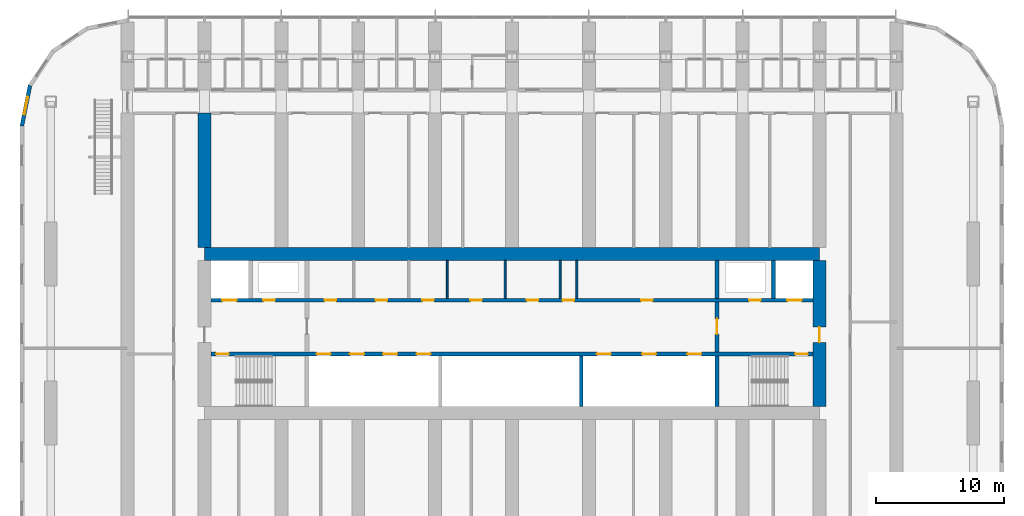
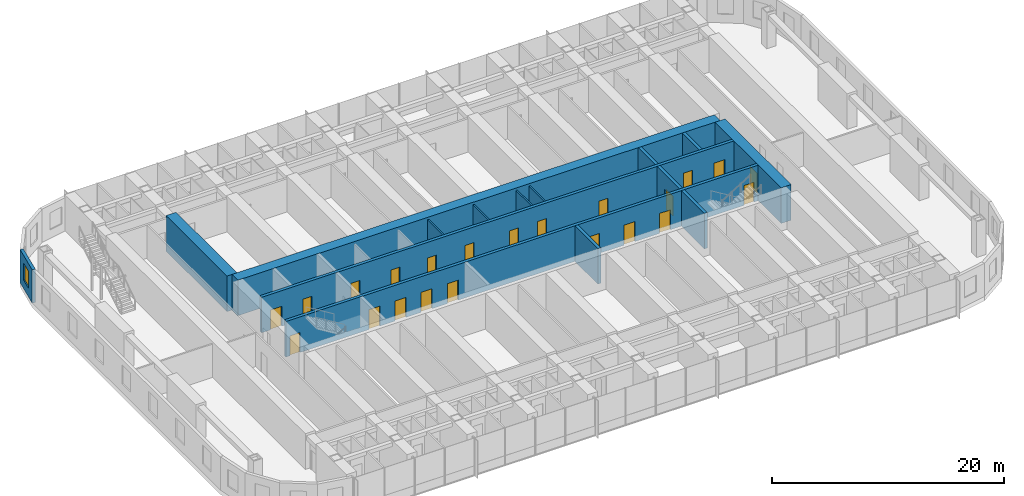
# One storey, part 16 of 28: 22 doors, 15 walls, 1 window, 23 openings.
"""IFC4 building model written with IfcOpenShell, lengths in metres."""

from ifc_helpers import new_model, si_unit, direction, frame, frame_2d, origin, place, context, subcontext, project, spatial, polyline, rectangle, outline, extrude, material, layer, layer_set, type_object, element, fill, save


model = new_model("IFC4")

# Units and contexts
model_context = context("Model", 3, precision=1e-05, world=origin(), true_north=direction((0.0, 1.0)))
body_context = subcontext(model_context, "Body", "Model", "MODEL_VIEW")
ifc_project = project(units=[si_unit("LENGTHUNIT", "METRE"), si_unit("AREAUNIT", "SQUARE_METRE"), si_unit("VOLUMEUNIT", "CUBIC_METRE"), si_unit("PLANEANGLEUNIT", "RADIAN"), si_unit("MASSUNIT", "GRAM", prefix="KILO")], contexts=[model_context])

# Site, building, storey
site_placement = place(None, origin())
site = spatial("IfcSite", under=ifc_project, at=site_placement, CompositionType="ELEMENT")
building_placement = place(site_placement, origin())
building = spatial("IfcBuilding", under=site, at=building_placement, Name="Orbita Commons", CompositionType="ELEMENT")
storey_placement = place(building_placement, frame((0.0, 0.0, 38.949951171875)))
storey = spatial("IfcBuildingStorey", under=building, at=storey_placement, Name="L09", CompositionType="ELEMENT", Elevation=38.949951171875)

# Wall, openings, doors
ifc_material_1 = material(Name="Concrete C50/60", Category="concrete")
ifc_layer_1 = layer(ifc_material_1, 0.300048828125)
ifc_layer_set_1 = layer_set([ifc_layer_1], Name="Concrete C50/60")
wall_type_1 = type_object("IfcWallType", Name="Core inner wall 300 C50/60", PredefinedType="SHEAR", material=ifc_layer_set_1)
wall_1_placement = place(storey_placement, frame((18.5, 30.39990234375, 0.0), z_axis=(0.0, 0.0, 1.0), x_axis=(1.0, 0.0, 0.0)))
wall_1 = element("IfcWall", 1, at=wall_1_placement, inside=storey, type_object=wall_type_1, Name="Lobby wall south L09", PredefinedType="SHEAR", context=body_context, shape_type="SweptSolid", body=[
    extrude(rectangle(XDim=47.0, YDim=0.300048828125, at=frame_2d((23.5, 0.0))), origin(), (0.0, 0.0, 1.0), 3.75),
])
opening_1_placement = place(wall_1_placement, frame((0.39990234375, 0.0, 0.0)))
opening_1 = element("IfcOpeningElement", 2, at=opening_1_placement, cuts=wall_1, Name="Opening D02", PredefinedType="OPENING", context=body_context, shape_type="SweptSolid", body=[
    extrude(rectangle(XDim=1.0, YDim=2.10009765625, at=frame_2d((0.5, 1.050048828125))), frame((0.0, 0.159912109375, 0.0), z_axis=(0.0, -1.0, 0.0), x_axis=(1.0, 0.0, 0.0)), (0.0, 0.0, 1.0), 0.320068359375),
])
opening_2_placement = place(wall_1_placement, frame((45.60009765625, 0.0, 0.0)))
opening_2 = element("IfcOpeningElement", 3, at=opening_2_placement, cuts=wall_1, Name="Opening D02", PredefinedType="OPENING", context=body_context, shape_type="SweptSolid", body=[
    extrude(rectangle(XDim=1.0, YDim=2.10009765625, at=frame_2d((0.5, 1.050048828125))), frame((0.0, 0.159912109375, 0.0), z_axis=(0.0, -1.0, 0.0), x_axis=(1.0, 0.0, 0.0)), (0.0, 0.0, 1.0), 0.320068359375),
])
opening_3_placement = place(wall_1_placement, frame((8.25, 0.0, 0.0)))
opening_3 = element("IfcOpeningElement", 4, at=opening_3_placement, cuts=wall_1, Name="Opening LD02", PredefinedType="OPENING", context=body_context, shape_type="SweptSolid", body=[
    extrude(rectangle(XDim=1.10009765625, YDim=2.10009765625, at=frame_2d((0.550048828125, 1.050048828125))), frame((0.0, 0.159912109375, 0.0), z_axis=(0.0, -1.0, 0.0), x_axis=(1.0, 0.0, 0.0)), (0.0, 0.0, 1.0), 0.320068359375),
])
opening_4_placement = place(wall_1_placement, frame((10.85009765625, 0.0, 0.0)))
opening_4 = element("IfcOpeningElement", 5, at=opening_4_placement, cuts=wall_1, Name="Opening LD02", PredefinedType="OPENING", context=body_context, shape_type="SweptSolid", body=[
    extrude(rectangle(XDim=1.10009765625, YDim=2.10009765625, at=frame_2d((0.550048828125, 1.050048828125))), frame((0.0, 0.159912109375, 0.0), z_axis=(0.0, -1.0, 0.0), x_axis=(1.0, 0.0, 0.0)), (0.0, 0.0, 1.0), 0.320068359375),
])
opening_5_placement = place(wall_1_placement, frame((13.449951171875, 0.0, 0.0)))
opening_5 = element("IfcOpeningElement", 6, at=opening_5_placement, cuts=wall_1, Name="Opening LD02", PredefinedType="OPENING", context=body_context, shape_type="SweptSolid", body=[
    extrude(rectangle(XDim=1.10009765625, YDim=2.10009765625, at=frame_2d((0.550048828125, 1.050048828125))), frame((0.0, 0.159912109375, 0.0), z_axis=(0.0, -1.0, 0.0), x_axis=(1.0, 0.0, 0.0)), (0.0, 0.0, 1.0), 0.320068359375),
])
opening_6_placement = place(wall_1_placement, frame((16.050048828125, 0.0, 0.0)))
opening_6 = element("IfcOpeningElement", 7, at=opening_6_placement, cuts=wall_1, Name="Opening LD02", PredefinedType="OPENING", context=body_context, shape_type="SweptSolid", body=[
    extrude(rectangle(XDim=1.10009765625, YDim=2.10009765625, at=frame_2d((0.550048828125, 1.050048828125))), frame((0.0, 0.159912109375, 0.0), z_axis=(0.0, -1.0, 0.0), x_axis=(1.0, 0.0, 0.0)), (0.0, 0.0, 1.0), 0.320068359375),
])
opening_7_placement = place(wall_1_placement, frame((30.11669921875, 0.0, 0.0)))
opening_7 = element("IfcOpeningElement", 8, at=opening_7_placement, cuts=wall_1, Name="Opening LD02", PredefinedType="OPENING", context=body_context, shape_type="SweptSolid", body=[
    extrude(rectangle(XDim=1.10009765625, YDim=2.10009765625, at=frame_2d((0.550048828125, 1.050048828125))), frame((0.0, 0.159912109375, 0.0), z_axis=(0.0, -1.0, 0.0), x_axis=(1.0, 0.0, 0.0)), (0.0, 0.0, 1.0), 0.320068359375),
])
opening_8_placement = place(wall_1_placement, frame((33.64990234375, 0.0, 0.0)))
opening_8 = element("IfcOpeningElement", 9, at=opening_8_placement, cuts=wall_1, Name="Opening LD02", PredefinedType="OPENING", context=body_context, shape_type="SweptSolid", body=[
    extrude(rectangle(XDim=1.10009765625, YDim=2.10009765625, at=frame_2d((0.550048828125, 1.050048828125))), frame((0.0, 0.159912109375, 0.0), z_axis=(0.0, -1.0, 0.0), x_axis=(1.0, 0.0, 0.0)), (0.0, 0.0, 1.0), 0.320068359375),
])
opening_9_placement = place(wall_1_placement, frame((37.183349609375, 0.0, 0.0)))
opening_9 = element("IfcOpeningElement", 10, at=opening_9_placement, cuts=wall_1, Name="Opening LD02", PredefinedType="OPENING", context=body_context, shape_type="SweptSolid", body=[
    extrude(rectangle(XDim=1.10009765625, YDim=2.10009765625, at=frame_2d((0.550048828125, 1.050048828125))), frame((0.0, 0.159912109375, 0.0), z_axis=(0.0, -1.0, 0.0), x_axis=(1.0, 0.0, 0.0)), (0.0, 0.0, 1.0), 0.320068359375),
])
ifc_material_2 = material(Name="Steel-faced fire door leaf", Category="steel")
door_type_1 = type_object("IfcDoorType", Name="Fire door 90 min 1000x2100", OperationType="SINGLE_SWING_LEFT", PredefinedType="DOOR", material=ifc_material_2)
door_1_placement = place(opening_1_placement, origin())
door_1 = element("IfcDoor", 11, at=door_1_placement, inside=storey, type_object=door_type_1, Name="Stair S1 door", OperationType="SINGLE_SWING_LEFT", OverallHeight=2.10009765625, OverallWidth=1.0, PredefinedType="DOOR", context=body_context, shape_type="SweptSolid", body=[
    extrude(rectangle(XDim=1.0, YDim=2.10009765625, at=frame_2d((0.5, 1.050048828125))), frame((0.0, 0.02490234375, 0.0), z_axis=(0.0, -1.0, 0.0), x_axis=(1.0, 0.0, 0.0)), (0.0, 0.0, 1.0), 0.050048828125),
])
fill(opening_1, door_1)
door_2_placement = place(opening_2_placement, origin())
door_2 = element("IfcDoor", 12, at=door_2_placement, inside=storey, type_object=door_type_1, Name="Stair S2 door", OperationType="SINGLE_SWING_LEFT", OverallHeight=2.10009765625, OverallWidth=1.0, PredefinedType="DOOR", context=body_context, shape_type="SweptSolid", body=[
    extrude(rectangle(XDim=1.0, YDim=2.10009765625, at=frame_2d((0.5, 1.050048828125))), frame((0.0, 0.02490234375, 0.0), z_axis=(0.0, -1.0, 0.0), x_axis=(1.0, 0.0, 0.0)), (0.0, 0.0, 1.0), 0.050048828125),
])
fill(opening_2, door_2)
ifc_material_3 = material(Name="Steel-faced fire door leaf", Category="steel")
door_type_2 = type_object("IfcDoorType", Name="Lift landing door 1100x2100", OperationType="DOUBLE_DOOR_SLIDING", PredefinedType="DOOR", material=ifc_material_3)
door_3_placement = place(opening_3_placement, origin())
door_3 = element("IfcDoor", 13, at=door_3_placement, inside=storey, type_object=door_type_2, Name="Lift P11 landing door", OperationType="DOUBLE_DOOR_SLIDING", OverallHeight=2.10009765625, OverallWidth=1.10009765625, PredefinedType="DOOR", context=body_context, shape_type="SweptSolid", body=[
    extrude(rectangle(XDim=1.10009765625, YDim=2.10009765625, at=frame_2d((0.550048828125, 1.050048828125))), frame((0.0, 0.02490234375, 0.0), z_axis=(0.0, -1.0, 0.0), x_axis=(1.0, 0.0, 0.0)), (0.0, 0.0, 1.0), 0.050048828125),
])
fill(opening_3, door_3)
door_4_placement = place(opening_4_placement, origin())
door_4 = element("IfcDoor", 14, at=door_4_placement, inside=storey, type_object=door_type_2, Name="Lift P12 landing door", OperationType="DOUBLE_DOOR_SLIDING", OverallHeight=2.10009765625, OverallWidth=1.10009765625, PredefinedType="DOOR", context=body_context, shape_type="SweptSolid", body=[
    extrude(rectangle(XDim=1.10009765625, YDim=2.10009765625, at=frame_2d((0.550048828125, 1.050048828125))), frame((0.0, 0.02490234375, 0.0), z_axis=(0.0, -1.0, 0.0), x_axis=(1.0, 0.0, 0.0)), (0.0, 0.0, 1.0), 0.050048828125),
])
fill(opening_4, door_4)
door_5_placement = place(opening_5_placement, origin())
door_5 = element("IfcDoor", 15, at=door_5_placement, inside=storey, type_object=door_type_2, Name="Lift P13 landing door", OperationType="DOUBLE_DOOR_SLIDING", OverallHeight=2.10009765625, OverallWidth=1.10009765625, PredefinedType="DOOR", context=body_context, shape_type="SweptSolid", body=[
    extrude(rectangle(XDim=1.10009765625, YDim=2.10009765625, at=frame_2d((0.550048828125, 1.050048828125))), frame((0.0, 0.02490234375, 0.0), z_axis=(0.0, -1.0, 0.0), x_axis=(1.0, 0.0, 0.0)), (0.0, 0.0, 1.0), 0.050048828125),
])
fill(opening_5, door_5)
door_6_placement = place(opening_6_placement, origin())
door_6 = element("IfcDoor", 16, at=door_6_placement, inside=storey, type_object=door_type_2, Name="Lift P14 landing door", OperationType="DOUBLE_DOOR_SLIDING", OverallHeight=2.10009765625, OverallWidth=1.10009765625, PredefinedType="DOOR", context=body_context, shape_type="SweptSolid", body=[
    extrude(rectangle(XDim=1.10009765625, YDim=2.10009765625, at=frame_2d((0.550048828125, 1.050048828125))), frame((0.0, 0.02490234375, 0.0), z_axis=(0.0, -1.0, 0.0), x_axis=(1.0, 0.0, 0.0)), (0.0, 0.0, 1.0), 0.050048828125),
])
fill(opening_6, door_6)
door_7_placement = place(opening_7_placement, origin())
door_7 = element("IfcDoor", 17, at=door_7_placement, inside=storey, type_object=door_type_2, Name="Lift SV1 landing door", OperationType="DOUBLE_DOOR_SLIDING", OverallHeight=2.10009765625, OverallWidth=1.10009765625, PredefinedType="DOOR", context=body_context, shape_type="SweptSolid", body=[
    extrude(rectangle(XDim=1.10009765625, YDim=2.10009765625, at=frame_2d((0.550048828125, 1.050048828125))), frame((0.0, 0.02490234375, 0.0), z_axis=(0.0, -1.0, 0.0), x_axis=(1.0, 0.0, 0.0)), (0.0, 0.0, 1.0), 0.050048828125),
])
fill(opening_7, door_7)
door_8_placement = place(opening_8_placement, origin())
door_8 = element("IfcDoor", 18, at=door_8_placement, inside=storey, type_object=door_type_2, Name="Lift SV2 landing door", OperationType="DOUBLE_DOOR_SLIDING", OverallHeight=2.10009765625, OverallWidth=1.10009765625, PredefinedType="DOOR", context=body_context, shape_type="SweptSolid", body=[
    extrude(rectangle(XDim=1.10009765625, YDim=2.10009765625, at=frame_2d((0.550048828125, 1.050048828125))), frame((0.0, 0.02490234375, 0.0), z_axis=(0.0, -1.0, 0.0), x_axis=(1.0, 0.0, 0.0)), (0.0, 0.0, 1.0), 0.050048828125),
])
fill(opening_8, door_8)
door_9_placement = place(opening_9_placement, origin())
door_9 = element("IfcDoor", 19, at=door_9_placement, inside=storey, type_object=door_type_2, Name="Lift SV3 landing door", OperationType="DOUBLE_DOOR_SLIDING", OverallHeight=2.10009765625, OverallWidth=1.10009765625, PredefinedType="DOOR", context=body_context, shape_type="SweptSolid", body=[
    extrude(rectangle(XDim=1.10009765625, YDim=2.10009765625, at=frame_2d((0.550048828125, 1.050048828125))), frame((0.0, 0.02490234375, 0.0), z_axis=(0.0, -1.0, 0.0), x_axis=(1.0, 0.0, 0.0)), (0.0, 0.0, 1.0), 0.050048828125),
])
fill(opening_9, door_9)

wall_2_placement = place(storey_placement, frame((18.5, 34.60009765625, 0.0), z_axis=(0.0, 0.0, 1.0), x_axis=(1.0, 0.0, 0.0)))
wall_2 = element("IfcWall", 20, at=wall_2_placement, inside=storey, type_object=wall_type_1, Name="Lobby wall north L09", PredefinedType="SHEAR", context=body_context, shape_type="SweptSolid", body=[
    extrude(rectangle(XDim=47.0, YDim=0.300048828125, at=frame_2d((23.5, 0.0))), origin(), (0.0, 0.0, 1.0), 3.75),
])
opening_10_placement = place(wall_2_placement, frame((0.89990234375, 0.0, 0.0)))
opening_10 = element("IfcOpeningElement", 21, at=opening_10_placement, cuts=wall_2, Name="Opening LD01", PredefinedType="OPENING", context=body_context, shape_type="SweptSolid", body=[
    extrude(rectangle(XDim=1.10009765625, YDim=2.10009765625, at=frame_2d((0.550048828125, 1.050048828125))), frame((0.0, 0.159912109375, 0.0), z_axis=(0.0, -1.0, 0.0), x_axis=(1.0, 0.0, 0.0)), (0.0, 0.0, 1.0), 0.320068359375),
])
opening_11_placement = place(wall_2_placement, frame((45.0, 0.0, 0.0)))
opening_11 = element("IfcOpeningElement", 22, at=opening_11_placement, cuts=wall_2, Name="Opening LD01", PredefinedType="OPENING", context=body_context, shape_type="SweptSolid", body=[
    extrude(rectangle(XDim=1.10009765625, YDim=2.10009765625, at=frame_2d((0.550048828125, 1.050048828125))), frame((0.0, 0.159912109375, 0.0), z_axis=(0.0, -1.0, 0.0), x_axis=(1.0, 0.0, 0.0)), (0.0, 0.0, 1.0), 0.320068359375),
])
opening_12_placement = place(wall_2_placement, frame((4.10009765625, 0.0, 0.0)))
opening_12 = element("IfcOpeningElement", 23, at=opening_12_placement, cuts=wall_2, Name="Opening D03", PredefinedType="OPENING", context=body_context, shape_type="SweptSolid", body=[
    extrude(rectangle(XDim=0.89990234375, YDim=2.10009765625, at=frame_2d((0.449951171875, 1.050048828125))), frame((0.0, 0.159912109375, 0.0), z_axis=(0.0, -1.0, 0.0), x_axis=(1.0, 0.0, 0.0)), (0.0, 0.0, 1.0), 0.320068359375),
])
opening_13_placement = place(wall_2_placement, frame((42.0, 0.0, 0.0)))
opening_13 = element("IfcOpeningElement", 24, at=opening_13_placement, cuts=wall_2, Name="Opening D03", PredefinedType="OPENING", context=body_context, shape_type="SweptSolid", body=[
    extrude(rectangle(XDim=0.89990234375, YDim=2.10009765625, at=frame_2d((0.449951171875, 1.050048828125))), frame((0.0, 0.159912109375, 0.0), z_axis=(0.0, -1.0, 0.0), x_axis=(1.0, 0.0, 0.0)), (0.0, 0.0, 1.0), 0.320068359375),
])
opening_14_placement = place(wall_2_placement, frame((8.87548828125, 0.0, 0.0)))
opening_14 = element("IfcOpeningElement", 25, at=opening_14_placement, cuts=wall_2, Name="Opening D05", PredefinedType="OPENING", context=body_context, shape_type="SweptSolid", body=[
    extrude(rectangle(XDim=0.89990234375, YDim=2.10009765625, at=frame_2d((0.449951171875, 1.050048828125))), frame((0.0, 0.159912109375, 0.0), z_axis=(0.0, -1.0, 0.0), x_axis=(1.0, 0.0, 0.0)), (0.0, 0.0, 1.0), 0.320068359375),
])
opening_15_placement = place(wall_2_placement, frame((12.8486328125, 0.0, 0.0)))
opening_15 = element("IfcOpeningElement", 26, at=opening_15_placement, cuts=wall_2, Name="Opening D03", PredefinedType="OPENING", context=body_context, shape_type="SweptSolid", body=[
    extrude(rectangle(XDim=0.89990234375, YDim=2.10009765625, at=frame_2d((0.449951171875, 1.050048828125))), frame((0.0, 0.159912109375, 0.0), z_axis=(0.0, -1.0, 0.0), x_axis=(1.0, 0.0, 0.0)), (0.0, 0.0, 1.0), 0.320068359375),
])
opening_16_placement = place(wall_2_placement, frame((16.496337890625, 0.0, 0.0)))
opening_16 = element("IfcOpeningElement", 27, at=opening_16_placement, cuts=wall_2, Name="Opening D03", PredefinedType="OPENING", context=body_context, shape_type="SweptSolid", body=[
    extrude(rectangle(XDim=0.89990234375, YDim=2.10009765625, at=frame_2d((0.449951171875, 1.050048828125))), frame((0.0, 0.159912109375, 0.0), z_axis=(0.0, -1.0, 0.0), x_axis=(1.0, 0.0, 0.0)), (0.0, 0.0, 1.0), 0.320068359375),
])
opening_17_placement = place(wall_2_placement, frame((20.254638671875, 0.0, 0.0)))
opening_17 = element("IfcOpeningElement", 28, at=opening_17_placement, cuts=wall_2, Name="Opening D05", PredefinedType="OPENING", context=body_context, shape_type="SweptSolid", body=[
    extrude(rectangle(XDim=0.89990234375, YDim=2.10009765625, at=frame_2d((0.449951171875, 1.050048828125))), frame((0.0, 0.159912109375, 0.0), z_axis=(0.0, -1.0, 0.0), x_axis=(1.0, 0.0, 0.0)), (0.0, 0.0, 1.0), 0.320068359375),
])
opening_18_placement = place(wall_2_placement, frame((24.66064453125, 0.0, 0.0)))
opening_18 = element("IfcOpeningElement", 29, at=opening_18_placement, cuts=wall_2, Name="Opening D03", PredefinedType="OPENING", context=body_context, shape_type="SweptSolid", body=[
    extrude(rectangle(XDim=0.89990234375, YDim=2.10009765625, at=frame_2d((0.449951171875, 1.050048828125))), frame((0.0, 0.159912109375, 0.0), z_axis=(0.0, -1.0, 0.0), x_axis=(1.0, 0.0, 0.0)), (0.0, 0.0, 1.0), 0.320068359375),
])
opening_19_placement = place(wall_2_placement, frame((27.45849609375, 0.0, 0.0)))
opening_19 = element("IfcOpeningElement", 30, at=opening_19_placement, cuts=wall_2, Name="Opening D03", PredefinedType="OPENING", context=body_context, shape_type="SweptSolid", body=[
    extrude(rectangle(XDim=0.89990234375, YDim=2.10009765625, at=frame_2d((0.449951171875, 1.050048828125))), frame((0.0, 0.159912109375, 0.0), z_axis=(0.0, -1.0, 0.0), x_axis=(1.0, 0.0, 0.0)), (0.0, 0.0, 1.0), 0.320068359375),
])
opening_20_placement = place(wall_2_placement, frame((33.5791015625, 0.0, 0.0)))
opening_20 = element("IfcOpeningElement", 31, at=opening_20_placement, cuts=wall_2, Name="Opening D03", PredefinedType="OPENING", context=body_context, shape_type="SweptSolid", body=[
    extrude(rectangle(XDim=0.89990234375, YDim=2.10009765625, at=frame_2d((0.449951171875, 1.050048828125))), frame((0.0, 0.159912109375, 0.0), z_axis=(0.0, -1.0, 0.0), x_axis=(1.0, 0.0, 0.0)), (0.0, 0.0, 1.0), 0.320068359375),
])
ifc_material_4 = material(Name="Steel-faced fire door leaf", Category="steel")
door_type_3 = type_object("IfcDoorType", Name="Firefighting lift landing door 1100x2100", OperationType="DOUBLE_DOOR_SLIDING", PredefinedType="DOOR", material=ifc_material_4)
door_10_placement = place(opening_10_placement, origin())
door_10 = element("IfcDoor", 32, at=door_10_placement, inside=storey, type_object=door_type_3, Name="Firefighting lift FL1 landing door", OperationType="DOUBLE_DOOR_SLIDING", OverallHeight=2.10009765625, OverallWidth=1.10009765625, PredefinedType="DOOR", context=body_context, shape_type="SweptSolid", body=[
    extrude(rectangle(XDim=1.10009765625, YDim=2.10009765625, at=frame_2d((0.550048828125, 1.050048828125))), frame((0.0, 0.02490234375, 0.0), z_axis=(0.0, -1.0, 0.0), x_axis=(1.0, 0.0, 0.0)), (0.0, 0.0, 1.0), 0.050048828125),
])
fill(opening_10, door_10)
door_11_placement = place(opening_11_placement, origin())
door_11 = element("IfcDoor", 33, at=door_11_placement, inside=storey, type_object=door_type_3, Name="Firefighting lift FL2 landing door", OperationType="DOUBLE_DOOR_SLIDING", OverallHeight=2.10009765625, OverallWidth=1.10009765625, PredefinedType="DOOR", context=body_context, shape_type="SweptSolid", body=[
    extrude(rectangle(XDim=1.10009765625, YDim=2.10009765625, at=frame_2d((0.550048828125, 1.050048828125))), frame((0.0, 0.02490234375, 0.0), z_axis=(0.0, -1.0, 0.0), x_axis=(1.0, 0.0, 0.0)), (0.0, 0.0, 1.0), 0.050048828125),
])
fill(opening_11, door_11)
ifc_material_5 = material(Name="Steel-faced fire door leaf", Category="steel")
door_type_4 = type_object("IfcDoorType", Name="Service door 20 min 900x2100", OperationType="SINGLE_SWING_LEFT", PredefinedType="DOOR", material=ifc_material_5)
door_12_placement = place(opening_14_placement, origin())
door_12 = element("IfcDoor", 34, at=door_12_placement, inside=storey, type_object=door_type_4, Name="Staff WC door", OperationType="SINGLE_SWING_LEFT", OverallHeight=2.10009765625, OverallWidth=0.89990234375, PredefinedType="DOOR", context=body_context, shape_type="SweptSolid", body=[
    extrude(rectangle(XDim=0.89990234375, YDim=2.10009765625, at=frame_2d((0.449951171875, 1.050048828125))), frame((0.0, 0.02490234375, 0.0), z_axis=(0.0, -1.0, 0.0), x_axis=(1.0, 0.0, 0.0)), (0.0, 0.0, 1.0), 0.050048828125),
])
fill(opening_14, door_12)
door_13_placement = place(opening_17_placement, origin())
door_13 = element("IfcDoor", 35, at=door_13_placement, inside=storey, type_object=door_type_4, Name="Accessible WC door", OperationType="SINGLE_SWING_LEFT", OverallHeight=2.10009765625, OverallWidth=0.89990234375, PredefinedType="DOOR", context=body_context, shape_type="SweptSolid", body=[
    extrude(rectangle(XDim=0.89990234375, YDim=2.10009765625, at=frame_2d((0.449951171875, 1.050048828125))), frame((0.0, 0.02490234375, 0.0), z_axis=(0.0, -1.0, 0.0), x_axis=(1.0, 0.0, 0.0)), (0.0, 0.0, 1.0), 0.050048828125),
])
fill(opening_17, door_13)
ifc_material_6 = material(Name="Steel-faced fire door leaf", Category="steel")
door_type_5 = type_object("IfcDoorType", Name="Shaft access door 90 min 900x2100", OperationType="SINGLE_SWING_LEFT", PredefinedType="DOOR", material=ifc_material_6)
door_14_placement = place(opening_12_placement, origin())
door_14 = element("IfcDoor", 36, at=door_14_placement, inside=storey, type_object=door_type_5, Name="Riser door west", OperationType="SINGLE_SWING_LEFT", OverallHeight=2.10009765625, OverallWidth=0.89990234375, PredefinedType="DOOR", context=body_context, shape_type="SweptSolid", body=[
    extrude(rectangle(XDim=0.89990234375, YDim=2.10009765625, at=frame_2d((0.449951171875, 1.050048828125))), frame((0.0, 0.02490234375, 0.0), z_axis=(0.0, -1.0, 0.0), x_axis=(1.0, 0.0, 0.0)), (0.0, 0.0, 1.0), 0.050048828125),
])
fill(opening_12, door_14)
door_15_placement = place(opening_13_placement, origin())
door_15 = element("IfcDoor", 37, at=door_15_placement, inside=storey, type_object=door_type_5, Name="Riser door east", OperationType="SINGLE_SWING_LEFT", OverallHeight=2.10009765625, OverallWidth=0.89990234375, PredefinedType="DOOR", context=body_context, shape_type="SweptSolid", body=[
    extrude(rectangle(XDim=0.89990234375, YDim=2.10009765625, at=frame_2d((0.449951171875, 1.050048828125))), frame((0.0, 0.02490234375, 0.0), z_axis=(0.0, -1.0, 0.0), x_axis=(1.0, 0.0, 0.0)), (0.0, 0.0, 1.0), 0.050048828125),
])
fill(opening_13, door_15)
door_16_placement = place(opening_15_placement, origin())
door_16 = element("IfcDoor", 38, at=door_16_placement, inside=storey, type_object=door_type_5, Name="Refuse chute room door", OperationType="SINGLE_SWING_LEFT", OverallHeight=2.10009765625, OverallWidth=0.89990234375, PredefinedType="DOOR", context=body_context, shape_type="SweptSolid", body=[
    extrude(rectangle(XDim=0.89990234375, YDim=2.10009765625, at=frame_2d((0.449951171875, 1.050048828125))), frame((0.0, 0.02490234375, 0.0), z_axis=(0.0, -1.0, 0.0), x_axis=(1.0, 0.0, 0.0)), (0.0, 0.0, 1.0), 0.050048828125),
])
fill(opening_15, door_16)
door_17_placement = place(opening_16_placement, origin())
door_17 = element("IfcDoor", 39, at=door_17_placement, inside=storey, type_object=door_type_5, Name="Electrical riser room door", OperationType="SINGLE_SWING_LEFT", OverallHeight=2.10009765625, OverallWidth=0.89990234375, PredefinedType="DOOR", context=body_context, shape_type="SweptSolid", body=[
    extrude(rectangle(XDim=0.89990234375, YDim=2.10009765625, at=frame_2d((0.449951171875, 1.050048828125))), frame((0.0, 0.02490234375, 0.0), z_axis=(0.0, -1.0, 0.0), x_axis=(1.0, 0.0, 0.0)), (0.0, 0.0, 1.0), 0.050048828125),
])
fill(opening_16, door_17)
door_18_placement = place(opening_18_placement, origin())
door_18 = element("IfcDoor", 40, at=door_18_placement, inside=storey, type_object=door_type_5, Name="Communications room door", OperationType="SINGLE_SWING_LEFT", OverallHeight=2.10009765625, OverallWidth=0.89990234375, PredefinedType="DOOR", context=body_context, shape_type="SweptSolid", body=[
    extrude(rectangle(XDim=0.89990234375, YDim=2.10009765625, at=frame_2d((0.449951171875, 1.050048828125))), frame((0.0, 0.02490234375, 0.0), z_axis=(0.0, -1.0, 0.0), x_axis=(1.0, 0.0, 0.0)), (0.0, 0.0, 1.0), 0.050048828125),
])
fill(opening_18, door_18)
door_19_placement = place(opening_19_placement, origin())
door_19 = element("IfcDoor", 41, at=door_19_placement, inside=storey, type_object=door_type_5, Name="Stair pressurisation duct door", OperationType="SINGLE_SWING_LEFT", OverallHeight=2.10009765625, OverallWidth=0.89990234375, PredefinedType="DOOR", context=body_context, shape_type="SweptSolid", body=[
    extrude(rectangle(XDim=0.89990234375, YDim=2.10009765625, at=frame_2d((0.449951171875, 1.050048828125))), frame((0.0, 0.02490234375, 0.0), z_axis=(0.0, -1.0, 0.0), x_axis=(1.0, 0.0, 0.0)), (0.0, 0.0, 1.0), 0.050048828125),
])
fill(opening_19, door_19)
door_20_placement = place(opening_20_placement, origin())
door_20 = element("IfcDoor", 42, at=door_20_placement, inside=storey, type_object=door_type_5, Name="Linen and housekeeping store door", OperationType="SINGLE_SWING_LEFT", OverallHeight=2.10009765625, OverallWidth=0.89990234375, PredefinedType="DOOR", context=body_context, shape_type="SweptSolid", body=[
    extrude(rectangle(XDim=0.89990234375, YDim=2.10009765625, at=frame_2d((0.449951171875, 1.050048828125))), frame((0.0, 0.02490234375, 0.0), z_axis=(0.0, -1.0, 0.0), x_axis=(1.0, 0.0, 0.0)), (0.0, 0.0, 1.0), 0.050048828125),
])
fill(opening_20, door_20)

# Wall
wall_3_placement = place(storey_placement, frame((58.0, 26.300048828125, 0.0), z_axis=(0.0, 0.0, 1.0), x_axis=(0.0, 1.0, 0.0)))
element("IfcWall", 43, at=wall_3_placement, inside=storey, type_object=wall_type_1, Name="Stair S2 wall L09", PredefinedType="SHEAR", context=body_context, shape_type="SweptSolid", body=[
    extrude(rectangle(XDim=3.949951171875, YDim=0.300048828125, at=frame_2d((1.97509765625, 0.0))), origin(), (0.0, 0.0, 1.0), 3.75),
])

# Wall, opening, door
wall_4_placement = place(storey_placement, frame((58.0, 30.550048828125, 0.0), z_axis=(0.0, 0.0, 1.0), x_axis=(0.0, 1.0, 0.0)))
wall_4 = element("IfcWall", 44, at=wall_4_placement, inside=storey, type_object=wall_type_1, Name="Firefighting lobby wall east L09", PredefinedType="SHEAR", context=body_context, shape_type="SweptSolid", body=[
    extrude(rectangle(XDim=3.89990234375, YDim=0.300048828125, at=frame_2d((1.949951171875, 0.0))), origin(), (0.0, 0.0, 1.0), 3.75),
])
opening_21_placement = place(wall_4_placement, frame((1.39990234375, 0.0, 0.0)))
opening_21 = element("IfcOpeningElement", 45, at=opening_21_placement, cuts=wall_4, Name="Opening D04", PredefinedType="OPENING", context=body_context, shape_type="SweptSolid", body=[
    extrude(rectangle(XDim=1.199951171875, YDim=2.10009765625, at=frame_2d((0.60009765625, 1.050048828125))), frame((0.0, 0.159912109375, 0.0), z_axis=(0.0, -1.0, 0.0), x_axis=(1.0, 0.0, 0.0)), (0.0, 0.0, 1.0), 0.320068359375),
])
ifc_material_7 = material(Name="Steel-faced fire door leaf", Category="steel")
door_type_6 = type_object("IfcDoorType", Name="Service door 20 min 1200x2100", OperationType="SINGLE_SWING_LEFT", PredefinedType="DOOR", material=ifc_material_7)
door_21_placement = place(opening_21_placement, origin())
door_21 = element("IfcDoor", 46, at=door_21_placement, inside=storey, type_object=door_type_6, Name="Lift lobby door east", OperationType="SINGLE_SWING_LEFT", OverallHeight=2.10009765625, OverallWidth=1.199951171875, PredefinedType="DOOR", context=body_context, shape_type="SweptSolid", body=[
    extrude(rectangle(XDim=1.199951171875, YDim=2.10009765625, at=frame_2d((0.60009765625, 1.050048828125))), frame((0.0, 0.02490234375, 0.0), z_axis=(0.0, -1.0, 0.0), x_axis=(1.0, 0.0, 0.0)), (0.0, 0.0, 1.0), 0.050048828125),
])
fill(opening_21, door_21)

# Walls
for number, where, z_axis, x_axis, name in (
    (47, (62.39990234375, 34.75, 0.0), (0.0, 0.0, 1.0), (0.0, 1.0, 0.0), "Firefighting lift FL2 shaft wall L09"),
    (48, (58.0, 34.75, 0.0), (0.0, 0.0, 1.0), (0.0, 1.0, 0.0), "Riser wall east L09"),
):
    element("IfcWall", number, at=place(storey_placement, frame(where, z_axis=z_axis, x_axis=x_axis)), inside=storey, type_object=wall_type_1, Name=name, PredefinedType="SHEAR", context=body_context, shape_type="SweptSolid", body=[
        extrude(rectangle(XDim=2.949951171875, YDim=0.300048828125, at=frame_2d((1.47509765625, 0.0))), origin(), (0.0, 0.0, 1.0), 3.75),
    ])
wall_5_placement = place(storey_placement, frame((47.39990234375, 26.300048828125, 0.0), z_axis=(0.0, 0.0, 1.0), x_axis=(0.0, 1.0, 0.0)))
element("IfcWall", 49, at=wall_5_placement, inside=storey, type_object=wall_type_1, Name="Hoistway division wall L09", PredefinedType="SHEAR", context=body_context, shape_type="SweptSolid", body=[
    extrude(rectangle(XDim=3.949951171875, YDim=0.300048828125, at=frame_2d((1.97509765625, 0.0))), origin(), (0.0, 0.0, 1.0), 3.75),
])
ifc_material_8 = material(Name="Concrete blockwork", Category="masonry")
ifc_layer_2 = layer(ifc_material_8, 0.14990234375)
ifc_layer_set_2 = layer_set([ifc_layer_2], Name="Concrete blockwork")
wall_type_2 = type_object("IfcWallType", Name="Core partition 150 blockwork", PredefinedType="SOLIDWALL", material=ifc_layer_set_2)
for number, where, z_axis, x_axis, name in (
    (50, (36.9462890625, 34.75, 0.0), (0.0, 0.0, 1.0), (0.0, 1.0, 0.0), "Core partition 150 blockwork L09"),
    (51, (41.463134765625, 34.75, 0.0), (0.0, 0.0, 1.0), (0.0, 1.0, 0.0), "Core partition 150 blockwork L09"),
    (52, (45.75830078125, 34.75, 0.0), (0.0, 0.0, 1.0), (0.0, 1.0, 0.0), "Core partition 150 blockwork L09"),
    (53, (47.058349609375, 34.75, 0.0), (0.0, 0.0, 1.0), (0.0, 1.0, 0.0), "Core partition 150 blockwork L09"),
):
    element("IfcWall", number, at=place(storey_placement, frame(where, z_axis=z_axis, x_axis=x_axis)), inside=storey, type_object=wall_type_2, Name=name, PredefinedType="SOLIDWALL", context=body_context, shape_type="SweptSolid", body=[
        extrude(rectangle(XDim=2.949951171875, YDim=0.14990234375, at=frame_2d((1.47509765625, 0.0))), origin(), (0.0, 0.0, 1.0), 3.5),
    ])
ifc_material_9 = material(Name="Concrete C50/60", Category="concrete")
ifc_layer_3 = layer(ifc_material_9, 1.0)
ifc_layer_set_3 = layer_set([ifc_layer_3], Name="Concrete C50/60")
wall_type_3 = type_object("IfcWallType", Name="Core wall 1000 C50/60", PredefinedType="SHEAR", material=ifc_layer_set_3)
wall_6_placement = place(storey_placement, frame((18.0, 38.199951171875, 0.0), z_axis=(0.0, 0.0, 1.0), x_axis=(1.0, 0.0, 0.0)))
element("IfcWall", 54, at=wall_6_placement, inside=storey, type_object=wall_type_3, Name="Core spine wall north L09", PredefinedType="SHEAR", context=body_context, shape_type="SweptSolid", body=[
    extrude(rectangle(XDim=48.0, YDim=1.0, at=frame_2d((24.0, 0.0))), origin(), (0.0, 0.0, 1.0), 3.75),
])

# Wall, opening, door
wall_7_placement = place(storey_placement, frame((66.0, 26.300048828125, 0.0), z_axis=(0.0, 0.0, 1.0), x_axis=(0.0, 1.0, 0.0)))
wall_7 = element("IfcWall", 55, at=wall_7_placement, inside=storey, type_object=wall_type_3, Name="Core end wall east L09", PredefinedType="SHEAR", context=body_context, shape_type="SweptSolid", body=[
    extrude(rectangle(XDim=11.39990234375, YDim=1.0, at=frame_2d((5.699951171875, 0.0))), origin(), (0.0, 0.0, 1.0), 3.75),
])
opening_22_placement = place(wall_7_placement, frame((5.0, 0.0, 0.0)))
opening_22 = element("IfcOpeningElement", 56, at=opening_22_placement, cuts=wall_7, Name="Opening D01", PredefinedType="OPENING", context=body_context, shape_type="SweptSolid", body=[
    extrude(rectangle(XDim=1.199951171875, YDim=2.10009765625, at=frame_2d((0.60009765625, 1.050048828125))), frame((0.0, 0.510009765625, 0.0), z_axis=(0.0, -1.0, 0.0), x_axis=(1.0, 0.0, 0.0)), (0.0, 0.0, 1.0), 1.02001953125),
])
ifc_material_10 = material(Name="Steel-faced fire door leaf", Category="steel")
door_type_7 = type_object("IfcDoorType", Name="Fire door 90 min 1200x2100", OperationType="SINGLE_SWING_LEFT", PredefinedType="DOOR", material=ifc_material_10)
door_22_placement = place(opening_22_placement, origin())
door_22 = element("IfcDoor", 57, at=door_22_placement, inside=storey, type_object=door_type_7, Name="Firefighting lobby east door", OperationType="SINGLE_SWING_LEFT", OverallHeight=2.10009765625, OverallWidth=1.199951171875, PredefinedType="DOOR", context=body_context, shape_type="SweptSolid", body=[
    extrude(rectangle(XDim=1.199951171875, YDim=2.10009765625, at=frame_2d((0.60009765625, 1.050048828125))), frame((0.0, 0.02490234375, 0.0), z_axis=(0.0, -1.0, 0.0), x_axis=(1.0, 0.0, 0.0)), (0.0, 0.0, 1.0), 0.050048828125),
])
fill(opening_22, door_22)

# Wall
ifc_material_11 = material(Name="Concrete C50/60", Category="concrete")
ifc_layer_4 = layer(ifc_material_11, 1.0)
ifc_layer_set_4 = layer_set([ifc_layer_4], Name="Concrete C50/60")
wall_type_4 = type_object("IfcWallType", Name="Cross wall 1000 C50/60", PredefinedType="SHEAR", material=ifc_layer_set_4)
wall_8_placement = place(storey_placement, frame((18.0, 38.699951171875, 0.0), z_axis=(0.0, 0.0, 1.0), x_axis=(0.0, 1.0, 0.0)))
element("IfcWall", 58, at=wall_8_placement, inside=storey, type_object=wall_type_4, Name="Cross wall 4 north inner L09", PredefinedType="SHEAR", context=body_context, shape_type="SweptSolid", body=[
    extrude(rectangle(XDim=10.5, YDim=1.0, at=frame_2d((5.25, 0.0))), origin(), (0.0, 0.0, 1.0), 3.75),
])

# Wall, opening, window
ifc_material_12 = material(Name="Precast concrete C40/50, white board-marked finish", Category="concrete")
ifc_layer_5 = layer(ifc_material_12, 0.300048828125)
ifc_layer_set_5 = layer_set([ifc_layer_5], Name="Precast concrete C40/50, white board-marked finish")
wall_type_5 = type_object("IfcWallType", Name="Precast concrete end shield 300", PredefinedType="SOLIDWALL", material=ifc_layer_set_5)
wall_9_placement = place(storey_placement, frame((4.3779296875, 51.357177734375, 0.0), z_axis=(0.0, 0.0, 1.0), x_axis=(-0.195065901187, -0.980790137692, 0.0)))
wall_9 = element("IfcWall", 59, at=wall_9_placement, inside=storey, type_object=wall_type_5, Name="End shield NW chord 4 L09", PredefinedType="SOLIDWALL", context=body_context, shape_type="SweptSolid", body=[
    extrude(outline(polyline([(-0.02978515625, -0.14990234375), (3.23388671875, -0.14990234375), (3.2041015625, 0.14990234375), (0.02978515625, 0.14990234375), (-0.02978515625, -0.14990234375)])), origin(), (0.0, 0.0, 1.0), 3.5),
])
opening_23_placement = place(wall_9_placement, frame((0.909423828125, 0.0, 0.89990234375)))
opening_23 = element("IfcOpeningElement", 60, at=opening_23_placement, cuts=wall_9, Name="Opening W02", PredefinedType="OPENING", context=body_context, shape_type="SweptSolid", body=[
    extrude(rectangle(XDim=1.39990234375, YDim=1.800048828125, at=frame_2d((0.699951171875, 0.89990234375))), frame((0.0, 0.159912109375, 0.0), z_axis=(0.0, -1.0, 0.0), x_axis=(1.0, 0.0, 0.0)), (0.0, 0.0, 1.0), 0.320068359375),
])
ifc_material_13 = material(Name="Aluminium frame, clear double glazing", Category="aluminium")
window_type = type_object("IfcWindowType", Name="Deep-set window 1400x1800", PartitioningType="SINGLE_PANEL", PredefinedType="WINDOW", material=ifc_material_13)
window_placement = place(opening_23_placement, origin())
window = element("IfcWindow", 61, at=window_placement, inside=storey, type_object=window_type, Name="Window L09-NW3", OverallHeight=1.800048828125, OverallWidth=1.39990234375, PartitioningType="SINGLE_PANEL", PredefinedType="WINDOW", context=body_context, shape_type="SweptSolid", body=[
    extrude(rectangle(XDim=1.39990234375, YDim=1.800048828125, at=frame_2d((0.699951171875, 0.89990234375))), frame((0.0, 0.030029296875, 0.0), z_axis=(0.0, -1.0, 0.0), x_axis=(1.0, 0.0, 0.0)), (0.0, 0.0, 1.0), 0.06005859375),
])
fill(opening_23, window)

save(model, "model.ifc")
